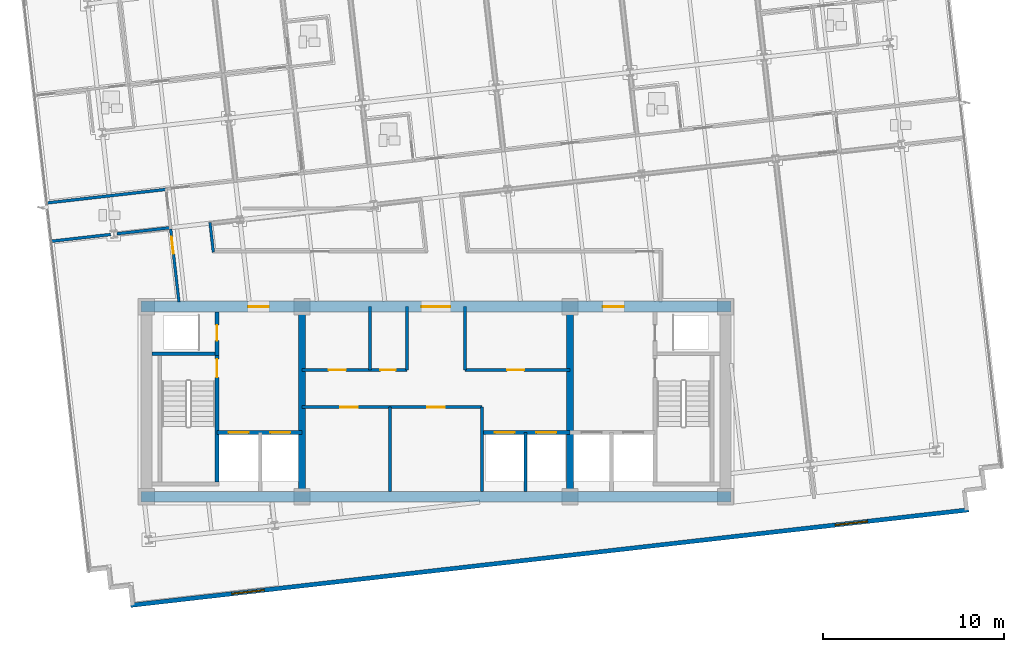
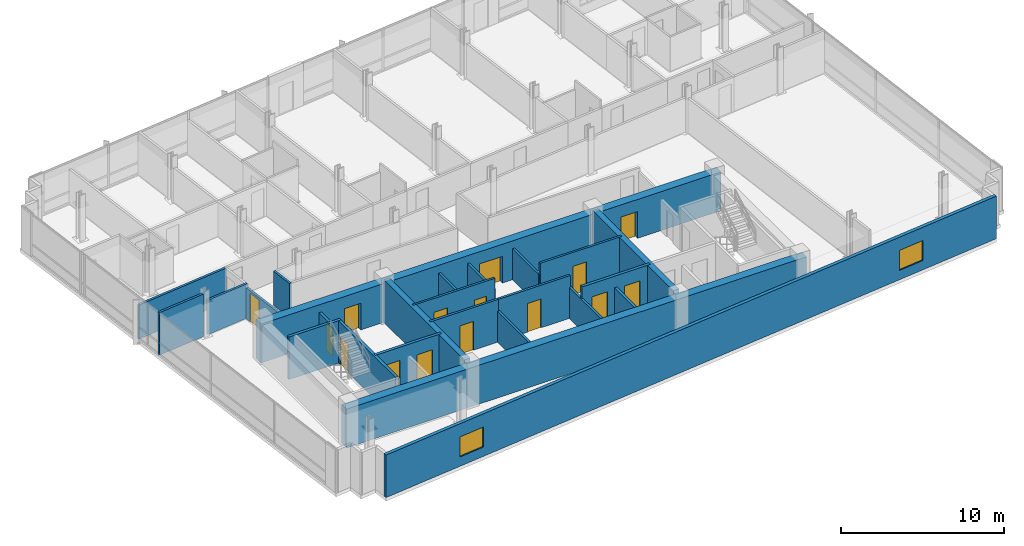
# One storey, part 9 of 16: 25 walls, 15 doors, 2 windows, 17 openings.
"""IFC4 building model written with IfcOpenShell, lengths in metres."""

import ifcopenshell
import ifcopenshell.guid

model = None  # the IFC model being written
_history = None  # IfcOwnerHistory: only IFC2X3 demands one
_inside = {}  # id of a spatial element -> (the spatial element, [elements in it])
_under = {}  # id of a project, library or spatial element -> (it, [spatial elements below it])
_declared = {}  # id of a project -> (the project, [libraries it declares])
_typed = {}  # id of a type object -> (the type object, [elements of that type])
_made_of = {}  # id of a material, layer set ... -> (it, [elements and type objects made of it])


def new_model(schema):
    """Start an empty IFC model of exactly this schema.

    Asked for "IFC4X3", IfcOpenShell would pick the latest addendum, in which some entities
    have other attributes; the version numbers below select the first issue.
    IFC2X3 requires an IfcOwnerHistory on every rooted entity: one is made here for all.
    """
    global model, _history
    if schema == "IFC4X3":
        model = ifcopenshell.file(schema_version=(4, 3, 0, 0))
    else:
        model = ifcopenshell.file(schema=schema)
    _inside.clear()
    _under.clear()
    _declared.clear()
    _typed.clear()
    _made_of.clear()
    _history = None
    if model.schema == "IFC2X3":
        org = make("IfcOrganization", Name="unknown")
        user = make(
            "IfcPersonAndOrganization",
            ThePerson=make("IfcPerson", FamilyName="unknown"),
            TheOrganization=org,
        )
        app = make(
            "IfcApplication",
            ApplicationDeveloper=org,
            Version="unknown",
            ApplicationFullName="unknown",
            ApplicationIdentifier="unknown",
        )
        _history = make(
            "IfcOwnerHistory",
            OwningUser=user,
            OwningApplication=app,
            ChangeAction="ADDED",
            CreationDate=0,
        )
    return model


def make(cls, **values):
    """One entity of the class cls with the attributes given. An attribute that is None is left unset."""
    return model.create_entity(
        cls, **{name: value for name, value in values.items() if value is not None}
    )


def rooted(cls, **values):
    """An entity with a GlobalId (a new one), such as an element, a storey or a relation."""
    return make(cls, GlobalId=ifcopenshell.guid.new(), OwnerHistory=_history, **values)


def si_unit(unit_type, name, prefix=None):
    """IfcSIUnit, for example si_unit("LENGTHUNIT", "METRE", prefix="MILLI")."""
    return make("IfcSIUnit", UnitType=unit_type, Prefix=prefix, Name=name)


def assignment(units):
    """IfcUnitAssignment: the units of a project."""
    return None if units is None else make("IfcUnitAssignment", Units=units)


def point(xyz):
    """IfcCartesianPoint."""
    return None if xyz is None else make("IfcCartesianPoint", Coordinates=xyz)


def direction(xyz):
    """IfcDirection."""
    return None if xyz is None else make("IfcDirection", DirectionRatios=xyz)


def frame(location, z_axis=None, x_axis=None):
    """IfcAxis2Placement3D, a coordinate frame: its origin and axes. An axis left out is left unset."""
    return make(
        "IfcAxis2Placement3D",
        Location=point(location),
        Axis=direction(z_axis),
        RefDirection=direction(x_axis),
    )


def frame_2d(location, x_axis=None):
    """IfcAxis2Placement2D, a coordinate frame in the plane: its origin and x axis."""
    return make(
        "IfcAxis2Placement2D", Location=point(location), RefDirection=direction(x_axis)
    )


def origin():
    """The frame at (0, 0, 0) with its axes left unset."""
    return frame((0.0, 0.0, 0.0))


def place(relative_to, where):
    """IfcLocalPlacement: puts the frame where relative to a parent placement (None: the world)."""
    return make(
        "IfcLocalPlacement", PlacementRelTo=relative_to, RelativePlacement=where
    )


def context(
    kind, dimensions, precision=None, world=None, true_north=None, identifier=None
):
    """IfcGeometricRepresentationContext, for example the 3D "Model" context."""
    return make(
        "IfcGeometricRepresentationContext",
        ContextIdentifier=identifier,
        ContextType=kind,
        CoordinateSpaceDimension=dimensions,
        Precision=precision,
        WorldCoordinateSystem=world,
        TrueNorth=true_north,
    )


def subcontext(parent, identifier, kind, view, scale=None):
    """IfcGeometricRepresentationSubContext, for example "Body" below "Model"."""
    return make(
        "IfcGeometricRepresentationSubContext",
        ContextIdentifier=identifier,
        ContextType=kind,
        ParentContext=parent,
        TargetScale=scale,
        TargetView=view,
    )


def project(units=None, contexts=None):
    """IfcProject with its units and contexts."""
    return rooted(
        "IfcProject",
        Name="project",
        RepresentationContexts=contexts,
        UnitsInContext=assignment(units),
    )


def spatial(cls, under=None, at=None, **own):
    """A site, building, storey or space (cls), placed at a placement, below another one or the project."""
    s = rooted(cls, ObjectPlacement=at, **own)
    if under is not None:
        _under.setdefault(under.id(), (under, []))[1].append(s)
    return s


def profile(cls, at=None, kind="AREA", **sizes):
    """A parametric profile (cls). Its sizes go by their IFC names, for example OverallWidth=200.0."""
    return make(cls, ProfileType=kind, Position=at, **sizes)


def rectangle(**sizes):
    """IfcRectangleProfileDef."""
    return profile("IfcRectangleProfileDef", **sizes)


def extrude(swept, where, along, depth):
    """IfcExtrudedAreaSolid: the profile swept, set in the frame where, extruded along a direction by depth."""
    return make(
        "IfcExtrudedAreaSolid",
        SweptArea=swept,
        Position=where,
        ExtrudedDirection=direction(along),
        Depth=depth,
    )


def shape(context_of_items, identifier, shape_type, items):
    """IfcShapeRepresentation: the items that make up one representation, for example the "Body"."""
    return make(
        "IfcShapeRepresentation",
        ContextOfItems=context_of_items,
        RepresentationIdentifier=identifier,
        RepresentationType=shape_type,
        Items=items,
    )


def material(Name=None, Category=None):
    """IfcMaterial."""
    return make("IfcMaterial", Name=Name, Category=Category)


def layer(
    of_material, thickness, ventilated=None, Name=None, Category=None, Priority=None
):
    """IfcMaterialLayer: one layer of a wall or slab, of a material (None: an air gap)."""
    return make(
        "IfcMaterialLayer",
        Material=of_material,
        LayerThickness=thickness,
        IsVentilated=ventilated,
        Name=Name,
        Category=Category,
        Priority=Priority,
    )


def layer_set(layers, Name=None):
    """IfcMaterialLayerSet."""
    return make("IfcMaterialLayerSet", MaterialLayers=layers, LayerSetName=Name)


def made_of(thing, what):
    """Note that an element or type object is made of a material, layer set ...; save() writes the relation."""
    if what is not None:
        _made_of.setdefault(what.id(), (what, []))[1].append(thing)
    return thing


def type_object(cls, material=None, **own):
    """A type object (cls), such as IfcWallType, which elements share."""
    return made_of(rooted(cls, **own), material)


def element(
    cls,
    number,
    at=None,
    inside=None,
    cuts=None,
    type_object=None,
    material=None,
    context=None,
    identifier="Body",
    shape_type=None,
    held_by="IfcProductDefinitionShape",
    body=None,
    shapes=None,
    **own,
):
    """One element of the class cls, such as IfcWall. Its Tag is "e" and its number.

    at: its placement. inside: the storey or other place that contains it. cuts: it is an
    opening in that element (IfcRelVoidsElement). A single representation is given by context,
    identifier, shape_type and body (its items); several are given by shapes. held_by: the class
    of the entity that holds the representations. save() writes the other relations.
    """
    e = rooted(cls, Tag="e%d" % number, ObjectPlacement=at, **own)
    if body is not None:
        shapes = [shape(context, identifier, shape_type, body)]
    if shapes is not None:
        e.Representation = make(held_by, Representations=shapes)
    if inside is not None:
        _inside.setdefault(inside.id(), (inside, []))[1].append(e)
    if cuts is not None:
        rooted(
            "IfcRelVoidsElement", RelatingBuildingElement=cuts, RelatedOpeningElement=e
        )
    if type_object is not None:
        _typed.setdefault(type_object.id(), (type_object, []))[1].append(e)
    return made_of(e, material)


def fill(opening, filler):
    """IfcRelFillsElement: the door or window that sits in an opening."""
    return rooted(
        "IfcRelFillsElement",
        RelatingOpeningElement=opening,
        RelatedBuildingElement=filler,
    )


def aggregate(whole, parts):
    """IfcRelAggregates: a whole, such as a stair, and the parts it consists of."""
    return rooted("IfcRelAggregates", RelatingObject=whole, RelatedObjects=parts)


def save(model, path):
    """Write the relations noted so far, then the file.

    IfcRelAggregates (storeys below a building ...), IfcRelContainedInSpatialStructure (elements
    in a storey), IfcRelDefinesByType, IfcRelAssociatesMaterial and IfcRelDeclares: one each for
    every whole, place, type object, material and project.
    """
    for whole, parts in _under.values():
        aggregate(whole, parts)
    for where, things in _inside.values():
        rooted(
            "IfcRelContainedInSpatialStructure",
            RelatedElements=things,
            RelatingStructure=where,
        )
    for kind, things in _typed.values():
        rooted("IfcRelDefinesByType", RelatedObjects=things, RelatingType=kind)
    for what, things in _made_of.values():
        rooted("IfcRelAssociatesMaterial", RelatedObjects=things, RelatingMaterial=what)
    for by, libraries in _declared.values():
        rooted("IfcRelDeclares", RelatingContext=by, RelatedDefinitions=libraries)
    model.write(path)


model = new_model("IFC4")

# Units and contexts
model_context = context("Model", 3, precision=1e-05, world=origin(), true_north=direction((0.0, 1.0)))
body_context = subcontext(model_context, "Body", "Model", "MODEL_VIEW")
ifc_project = project(units=[si_unit("LENGTHUNIT", "METRE"), si_unit("AREAUNIT", "SQUARE_METRE"), si_unit("VOLUMEUNIT", "CUBIC_METRE"), si_unit("PLANEANGLEUNIT", "RADIAN"), si_unit("MASSUNIT", "GRAM", prefix="KILO")], contexts=[model_context])

# Site, building, storey
site_placement = place(None, origin())
site = spatial("IfcSite", under=ifc_project, at=site_placement, CompositionType="ELEMENT")
building_placement = place(site_placement, origin())
building = spatial("IfcBuilding", under=site, at=building_placement, Name="Solmavex Isthmus Hotel", CompositionType="ELEMENT")
storey_placement = place(building_placement, frame((0.0, 0.0, 222.75)))
storey = spatial("IfcBuildingStorey", under=building, at=storey_placement, Name="L60", CompositionType="ELEMENT", Elevation=222.75)

# Wall, openings, windows
ifc_material_1 = material(Name="Precast Concrete C40/50", Category="concrete")
ifc_layer_1 = layer(ifc_material_1, 0.25)
ifc_layer_set_1 = layer_set([ifc_layer_1], Name="Precast Concrete C40/50")
wall_type_1 = type_object("IfcWallType", Name="EW-TWR-250", PredefinedType="STANDARD", material=ifc_layer_set_1)
wall_1_placement = place(storey_placement, frame((-16.86962890625, -18.99951171875, 0.0), z_axis=(0.0, 0.0, 1.0), x_axis=(0.993571588328, 0.113205560228, 0.0)))
wall_1 = element("IfcWall", 1, at=wall_1_placement, inside=storey, type_object=wall_type_1, Name="Tower Rear South Facade Wall L60", PredefinedType="STANDARD", context=body_context, shape_type="SweptSolid", body=[
    extrude(rectangle(XDim=46.60009765625, YDim=0.239990234375, at=frame_2d((23.300048828125, 0.0))), origin(), (0.0, 0.0, 1.0), 3.18994140625),
])
opening_1_placement = place(wall_1_placement, frame((5.6240234375, 0.0, 0.699951171875)))
opening_1 = element("IfcOpeningElement", 2, at=opening_1_placement, cuts=wall_1, Name="Opening WN-02", PredefinedType="OPENING", context=body_context, shape_type="SweptSolid", body=[
    extrude(rectangle(XDim=1.800048828125, YDim=1.5, at=frame_2d((0.89990234375, 0.75))), frame((0.0, 0.1298828125, 0.0), z_axis=(0.0, -1.0, 0.0), x_axis=(1.0, 0.0, 0.0)), (0.0, 0.0, 1.0), 0.260009765625),
])
opening_2_placement = place(wall_1_placement, frame((39.176025390625, 0.0, 0.699951171875)))
opening_2 = element("IfcOpeningElement", 3, at=opening_2_placement, cuts=wall_1, Name="Opening WN-02", PredefinedType="OPENING", context=body_context, shape_type="SweptSolid", body=[
    extrude(rectangle(XDim=1.800048828125, YDim=1.5, at=frame_2d((0.89990234375, 0.75))), frame((0.0, 0.1298828125, 0.0), z_axis=(0.0, -1.0, 0.0), x_axis=(1.0, 0.0, 0.0)), (0.0, 0.0, 1.0), 0.260009765625),
])
ifc_material_2 = material(Name="Clear low-E laminated glass", Category="glass")
window_type = type_object("IfcWindowType", Name="WIN-TWR-1800", PartitioningType="SINGLE_PANEL", PredefinedType="WINDOW", material=ifc_material_2)
window_1_placement = place(opening_1_placement, origin())
window_1 = element("IfcWindow", 4, at=window_1_placement, inside=storey, type_object=window_type, Name="South Facade Vision Window L60-S1", OverallHeight=1.5, OverallWidth=1.800048828125, PartitioningType="SINGLE_PANEL", PredefinedType="WINDOW", context=body_context, shape_type="SweptSolid", body=[
    extrude(rectangle(XDim=1.800048828125, YDim=1.5, at=frame_2d((0.89990234375, 0.75))), frame((0.0, 0.030029296875, 0.0), z_axis=(0.0, -1.0, 0.0), x_axis=(1.0, 0.0, 0.0)), (0.0, 0.0, 1.0), 0.06005859375),
])
fill(opening_1, window_1)
window_2_placement = place(opening_2_placement, origin())
window_2 = element("IfcWindow", 5, at=window_2_placement, inside=storey, type_object=window_type, Name="South Facade Vision Window L60-S2", OverallHeight=1.5, OverallWidth=1.800048828125, PartitioningType="SINGLE_PANEL", PredefinedType="WINDOW", context=body_context, shape_type="SweptSolid", body=[
    extrude(rectangle(XDim=1.800048828125, YDim=1.5, at=frame_2d((0.89990234375, 0.75))), frame((0.0, 0.030029296875, 0.0), z_axis=(0.0, -1.0, 0.0), x_axis=(1.0, 0.0, 0.0)), (0.0, 0.0, 1.0), 0.06005859375),
])
fill(opening_2, window_2)

# Wall, opening, door
ifc_material_3 = material(Name="Gypsum plasterboard lining", Category="gypsum")
ifc_layer_2 = layer(ifc_material_3, 0.159912109375)
ifc_layer_set_2 = layer_set([ifc_layer_2], Name="Gypsum plasterboard lining")
wall_type_2 = type_object("IfcWallType", Name="IW-COMP-160", PredefinedType="PARTITIONING", material=ifc_layer_set_2)
wall_2_placement = place(storey_placement, frame((-7.39990234375, -8.050048828125, 0.0), z_axis=(0.0, 0.0, 1.0), x_axis=(1.0, 0.0, 0.0)))
wall_2 = element("IfcWall", 6, at=wall_2_placement, inside=storey, type_object=wall_type_2, Name="Interior Partition Wall W-L60-REC-PLL-N", PredefinedType="PARTITIONING", context=body_context, shape_type="SweptSolid", body=[
    extrude(rectangle(XDim=4.849853515625, YDim=0.159912109375, at=frame_2d((2.4248046875, 0.0))), origin(), (0.0, 0.0, 1.0), 3.18994140625),
])
opening_3_placement = place(wall_2_placement, frame((2.125, 0.0, 0.0)))
opening_3 = element("IfcOpeningElement", 7, at=opening_3_placement, cuts=wall_2, Name="Opening ID-C095", PredefinedType="OPENING", context=body_context, shape_type="SweptSolid", body=[
    extrude(rectangle(XDim=0.949951171875, YDim=2.14990234375, at=frame_2d((0.47509765625, 1.074951171875))), frame((0.0, 0.08984375, 0.0), z_axis=(0.0, -1.0, 0.0), x_axis=(1.0, 0.0, 0.0)), (0.0, 0.0, 1.0), 0.179931640625),
])
ifc_material_4 = material(Name="Hardwood timber", Category="wood")
door_type_1 = type_object("IfcDoorType", Name="IDR-FD60-0950", OperationType="NOTDEFINED", PredefinedType="DOOR", material=ifc_material_4)
door_1_placement = place(opening_3_placement, origin())
door_1 = element("IfcDoor", 8, at=door_1_placement, inside=storey, type_object=door_type_1, Name="Linen Reserve Door L60", OperationType="SINGLE_SWING_LEFT", OverallHeight=2.14990234375, OverallWidth=0.949951171875, PredefinedType="DOOR", context=body_context, shape_type="SweptSolid", body=[
    extrude(rectangle(XDim=0.949951171875, YDim=2.14990234375, at=frame_2d((0.47509765625, 1.074951171875))), frame((0.0, 0.02490234375, 0.0), z_axis=(0.0, -1.0, 0.0), x_axis=(1.0, 0.0, 0.0)), (0.0, 0.0, 1.0), 0.050048828125),
])
fill(opening_3, door_1)

# Wall
wall_3_placement = place(storey_placement, frame((-2.550048828125, -12.699951171875, 0.0), z_axis=(0.0, 0.0, 1.0), x_axis=(0.0, 1.0, 0.0)))
element("IfcWall", 9, at=wall_3_placement, inside=storey, type_object=wall_type_2, Name="Interior Partition Wall W-L60-REC-PLL-E", PredefinedType="PARTITIONING", context=body_context, shape_type="SweptSolid", body=[
    extrude(rectangle(XDim=4.64990234375, YDim=0.159912109375, at=frame_2d((2.324951171875, 0.0))), origin(), (0.0, 0.0, 1.0), 2.324951171875),
])

# Wall, opening, door
wall_4_placement = place(storey_placement, frame((-2.550048828125, -8.050048828125, 0.0), z_axis=(0.0, 0.0, 1.0), x_axis=(1.0, 0.0, 0.0)))
wall_4 = element("IfcWall", 10, at=wall_4_placement, inside=storey, type_object=wall_type_2, Name="Interior Partition Wall W-L60-REC-PLM-N", PredefinedType="PARTITIONING", context=body_context, shape_type="SweptSolid", body=[
    extrude(rectangle(XDim=5.10009765625, YDim=0.159912109375, at=frame_2d((2.550048828125, 0.0))), origin(), (0.0, 0.0, 1.0), 3.18994140625),
])
opening_4_placement = place(wall_4_placement, frame((2.074951171875, 0.0, 0.0)))
opening_4 = element("IfcOpeningElement", 11, at=opening_4_placement, cuts=wall_4, Name="Opening ID-C095", PredefinedType="OPENING", context=body_context, shape_type="SweptSolid", body=[
    extrude(rectangle(XDim=0.949951171875, YDim=2.14990234375, at=frame_2d((0.47509765625, 1.074951171875))), frame((0.0, 0.08984375, 0.0), z_axis=(0.0, -1.0, 0.0), x_axis=(1.0, 0.0, 0.0)), (0.0, 0.0, 1.0), 0.179931640625),
])
door_2_placement = place(opening_4_placement, origin())
door_2 = element("IfcDoor", 12, at=door_2_placement, inside=storey, type_object=door_type_1, Name="Butler Store Door L60", OperationType="SINGLE_SWING_RIGHT", OverallHeight=2.14990234375, OverallWidth=0.949951171875, PredefinedType="DOOR", context=body_context, shape_type="SweptSolid", body=[
    extrude(rectangle(XDim=0.949951171875, YDim=2.14990234375, at=frame_2d((0.47509765625, 1.074951171875))), frame((0.0, 0.02490234375, 0.0), z_axis=(0.0, -1.0, 0.0), x_axis=(1.0, 0.0, 0.0)), (0.0, 0.0, 1.0), 0.050048828125),
])
fill(opening_4, door_2)

# Walls
wall_5_placement = place(storey_placement, frame((2.550048828125, -12.699951171875, 0.0), z_axis=(0.0, 0.0, 1.0), x_axis=(0.0, 1.0, 0.0)))
element("IfcWall", 13, at=wall_5_placement, inside=storey, type_object=wall_type_2, Name="Interior Partition Wall W-L60-REC-PLM-E", PredefinedType="PARTITIONING", context=body_context, shape_type="SweptSolid", body=[
    extrude(rectangle(XDim=4.64990234375, YDim=0.159912109375, at=frame_2d((2.324951171875, 0.0))), origin(), (0.0, 0.0, 1.0), 2.324951171875),
])
wall_6_placement = place(storey_placement, frame((-14.86865234375, 3.98486328125, 0.0), z_axis=(0.0, 0.0, 1.0), x_axis=(-0.993568743641, -0.113230524415, 0.0)))
element("IfcWall", 14, at=wall_6_placement, inside=storey, type_object=wall_type_2, Name="Interior Partition Wall W-L60-P033", PredefinedType="PARTITIONING", context=body_context, shape_type="SweptSolid", body=[
    extrude(rectangle(XDim=6.7099609375, YDim=0.159912109375, at=frame_2d((3.35498046875, 0.0))), origin(), (0.0, 0.0, 1.0), 2.5576171875),
])
wall_7_placement = place(storey_placement, frame((-17.97216796875, 1.4873046875, 0.0), z_axis=(0.0, 0.0, 1.0), x_axis=(-0.993575433752, -0.113171804991, 0.0)))
element("IfcWall", 15, at=wall_7_placement, inside=storey, type_object=wall_type_2, Name="Interior Partition Wall W-L60-P070", PredefinedType="PARTITIONING", context=body_context, shape_type="SweptSolid", body=[
    extrude(rectangle(XDim=3.34375, YDim=0.159912109375, at=frame_2d((1.671875, 0.0))), origin(), (0.0, 0.0, 1.0), 3.18994140625),
])
wall_8_placement = place(storey_placement, frame((-14.62744140625, 1.868408203125, 0.0), z_axis=(0.0, 0.0, 1.0), x_axis=(-0.993574646464, -0.113178716659, 0.0)))
element("IfcWall", 16, at=wall_8_placement, inside=storey, type_object=wall_type_2, Name="Interior Partition Wall W-L60-P071", PredefinedType="PARTITIONING", context=body_context, shape_type="SweptSolid", body=[
    extrude(rectangle(XDim=3.013427734375, YDim=0.159912109375, at=frame_2d((1.5068359375, 0.0))), origin(), (0.0, 0.0, 1.0), 2.572265625),
])

# Wall, openings, doors
ifc_layer_3 = layer(ifc_material_3, 0.14990234375)
ifc_layer_set_3 = layer_set([ifc_layer_3], Name="Gypsum plasterboard lining")
wall_type_3 = type_object("IfcWallType", Name="IW-CORR-150", PredefinedType="PARTITIONING", material=ifc_layer_set_3)
wall_9_placement = place(storey_placement, frame((-7.39990234375, -6.0, 0.0), z_axis=(0.0, 0.0, 1.0), x_axis=(1.0, 0.0, 0.0)))
wall_9 = element("IfcWall", 17, at=wall_9_placement, inside=storey, type_object=wall_type_3, Name="Interior Partition Wall W-L60-BOH-WS", PredefinedType="PARTITIONING", context=body_context, shape_type="SweptSolid", body=[
    extrude(rectangle(XDim=5.7998046875, YDim=0.14990234375, at=frame_2d((2.89990234375, 0.0))), origin(), (0.0, 0.0, 1.0), 3.18994140625),
])
opening_5_placement = place(wall_9_placement, frame((1.47509765625, 0.0, 0.0)))
opening_5 = element("IfcOpeningElement", 18, at=opening_5_placement, cuts=wall_9, Name="Opening ID-C095", PredefinedType="OPENING", context=body_context, shape_type="SweptSolid", body=[
    extrude(rectangle(XDim=0.949951171875, YDim=2.14990234375, at=frame_2d((0.47509765625, 1.074951171875))), frame((0.0, 0.0849609375, 0.0), z_axis=(0.0, -1.0, 0.0), x_axis=(1.0, 0.0, 0.0)), (0.0, 0.0, 1.0), 0.169921875),
])
opening_6_placement = place(wall_9_placement, frame((4.324951171875, 0.0, 0.0)))
opening_6 = element("IfcOpeningElement", 19, at=opening_6_placement, cuts=wall_9, Name="Opening ID-R085", PredefinedType="OPENING", context=body_context, shape_type="SweptSolid", body=[
    extrude(rectangle(XDim=0.85009765625, YDim=2.050048828125, at=frame_2d((0.425048828125, 1.02490234375))), frame((0.0, 0.0849609375, 0.0), z_axis=(0.0, -1.0, 0.0), x_axis=(1.0, 0.0, 0.0)), (0.0, 0.0, 1.0), 0.169921875),
])
ifc_material_5 = material(Name="Steel ASTM A500 Grade C", Category="steel")
door_type_2 = type_object("IfcDoorType", Name="IDR-FD60-0850", OperationType="NOTDEFINED", PredefinedType="DOOR", material=ifc_material_5)
door_3_placement = place(opening_6_placement, frame((0.85009765625, 0.0, 0.0), z_axis=(0.0, 0.0, 1.0), x_axis=(-1.0, 0.0, 0.0)))
door_3 = element("IfcDoor", 20, at=door_3_placement, inside=storey, type_object=door_type_2, Name="Cleaner Closet Door L60", OperationType="SINGLE_SWING_RIGHT", OverallHeight=2.050048828125, OverallWidth=0.85009765625, PredefinedType="DOOR", context=body_context, shape_type="SweptSolid", body=[
    extrude(rectangle(XDim=0.85009765625, YDim=2.050048828125, at=frame_2d((0.425048828125, 1.02490234375))), frame((0.0, 0.02490234375, 0.0), z_axis=(0.0, -1.0, 0.0), x_axis=(1.0, 0.0, 0.0)), (0.0, 0.0, 1.0), 0.050048828125),
])
fill(opening_6, door_3)
door_4_placement = place(opening_5_placement, frame((0.949951171875, 0.0, 0.0), z_axis=(0.0, 0.0, 1.0), x_axis=(-1.0, 0.0, 0.0)))
door_4 = element("IfcDoor", 21, at=door_4_placement, inside=storey, type_object=door_type_1, Name="Housekeeping Store Door L60", OperationType="SINGLE_SWING_LEFT", OverallHeight=2.14990234375, OverallWidth=0.949951171875, PredefinedType="DOOR", context=body_context, shape_type="SweptSolid", body=[
    extrude(rectangle(XDim=0.949951171875, YDim=2.14990234375, at=frame_2d((0.47509765625, 1.074951171875))), frame((0.0, 0.02490234375, 0.0), z_axis=(0.0, -1.0, 0.0), x_axis=(1.0, 0.0, 0.0)), (0.0, 0.0, 1.0), 0.050048828125),
])
fill(opening_5, door_4)

# Wall
wall_10_placement = place(storey_placement, frame((-1.60009765625, -6.0, 0.0), z_axis=(0.0, 0.0, 1.0), x_axis=(0.0, 1.0, 0.0)))
element("IfcWall", 22, at=wall_10_placement, inside=storey, type_object=wall_type_3, Name="Interior Partition Wall W-L60-BOH-WE", PredefinedType="PARTITIONING", context=body_context, shape_type="SweptSolid", body=[
    extrude(rectangle(XDim=3.5, YDim=0.14990234375, at=frame_2d((1.75, 0.0))), origin(), (0.0, 0.0, 1.0), 2.324951171875),
])

# Wall, opening, door
wall_11_placement = place(storey_placement, frame((1.60009765625, -6.0, 0.0), z_axis=(0.0, 0.0, 1.0), x_axis=(1.0, 0.0, 0.0)))
wall_11 = element("IfcWall", 23, at=wall_11_placement, inside=storey, type_object=wall_type_3, Name="Interior Partition Wall W-L60-BOH-ES", PredefinedType="PARTITIONING", context=body_context, shape_type="SweptSolid", body=[
    extrude(rectangle(XDim=5.7998046875, YDim=0.14990234375, at=frame_2d((2.89990234375, 0.0))), origin(), (0.0, 0.0, 1.0), 3.18994140625),
])
opening_7_placement = place(wall_11_placement, frame((2.324951171875, 0.0, 0.0)))
opening_7 = element("IfcOpeningElement", 24, at=opening_7_placement, cuts=wall_11, Name="Opening ID-C095", PredefinedType="OPENING", context=body_context, shape_type="SweptSolid", body=[
    extrude(rectangle(XDim=0.949951171875, YDim=2.14990234375, at=frame_2d((0.47509765625, 1.074951171875))), frame((0.0, 0.0849609375, 0.0), z_axis=(0.0, -1.0, 0.0), x_axis=(1.0, 0.0, 0.0)), (0.0, 0.0, 1.0), 0.169921875),
])
door_5_placement = place(opening_7_placement, frame((0.949951171875, 0.0, 0.0), z_axis=(0.0, 0.0, 1.0), x_axis=(-1.0, 0.0, 0.0)))
door_5 = element("IfcDoor", 25, at=door_5_placement, inside=storey, type_object=door_type_1, Name="Butler Pantry Door L60", OperationType="SINGLE_SWING_RIGHT", OverallHeight=2.14990234375, OverallWidth=0.949951171875, PredefinedType="DOOR", context=body_context, shape_type="SweptSolid", body=[
    extrude(rectangle(XDim=0.949951171875, YDim=2.14990234375, at=frame_2d((0.47509765625, 1.074951171875))), frame((0.0, 0.02490234375, 0.0), z_axis=(0.0, -1.0, 0.0), x_axis=(1.0, 0.0, 0.0)), (0.0, 0.0, 1.0), 0.050048828125),
])
fill(opening_7, door_5)

# Walls
wall_12_placement = place(storey_placement, frame((1.60009765625, -6.0, 0.0), z_axis=(0.0, 0.0, 1.0), x_axis=(0.0, 1.0, 0.0)))
element("IfcWall", 26, at=wall_12_placement, inside=storey, type_object=wall_type_3, Name="Interior Partition Wall W-L60-BOH-EW", PredefinedType="PARTITIONING", context=body_context, shape_type="SweptSolid", body=[
    extrude(rectangle(XDim=3.5, YDim=0.14990234375, at=frame_2d((1.75, 0.0))), origin(), (0.0, 0.0, 1.0), 2.324951171875),
])
wall_13_placement = place(storey_placement, frame((-12.48583984375, 2.15283203125, 0.0), z_axis=(0.0, 0.0, 1.0), x_axis=(0.113121752139, -0.993581133674, 0.0)))
element("IfcWall", 27, at=wall_13_placement, inside=storey, type_object=wall_type_3, Name="Interior Partition Wall W-L60-P013", PredefinedType="PARTITIONING", context=body_context, shape_type="SweptSolid", body=[
    extrude(rectangle(XDim=1.653076171875, YDim=0.14990234375, at=frame_2d((0.82666015625, 0.0))), origin(), (0.0, 0.0, 1.0), 2.572265625),
])

# Wall, opening, door
wall_14_placement = place(storey_placement, frame((-14.19970703125, -2.23974609375, 0.0), z_axis=(0.0, 0.0, 1.0), x_axis=(-0.11319839611, 0.993572404568, 0.0)))
wall_14 = element("IfcWall", 28, at=wall_14_placement, inside=storey, type_object=wall_type_3, Name="Interior Partition Wall W-L60-P018", PredefinedType="PARTITIONING", context=body_context, shape_type="SweptSolid", body=[
    extrude(rectangle(XDim=4.212158203125, YDim=0.14990234375, at=frame_2d((2.10595703125, 0.0))), origin(), (0.0, 0.0, 1.0), 2.324951171875),
])
opening_8_placement = place(wall_14_placement, frame((2.67236328125, 0.0, 0.0)))
opening_8 = element("IfcOpeningElement", 29, at=opening_8_placement, cuts=wall_14, Name="Opening ID-C095", PredefinedType="OPENING", context=body_context, shape_type="SweptSolid", body=[
    extrude(rectangle(XDim=0.949951171875, YDim=2.14990234375, at=frame_2d((0.47509765625, 1.074951171875))), frame((0.0, 0.0849609375, 0.0), z_axis=(0.0, -1.0, 0.0), x_axis=(1.0, 0.0, 0.0)), (0.0, 0.0, 1.0), 0.169921875),
])
door_6_placement = place(opening_8_placement, frame((0.949951171875, 0.0, 0.0), z_axis=(0.0, 0.0, 1.0), x_axis=(-1.0, 0.0, 0.0)))
door_6 = element("IfcDoor", 30, at=door_6_placement, inside=storey, type_object=door_type_1, Name="Executive Hospitality Lounge Door L60-21", OperationType="SINGLE_SWING_LEFT", OverallHeight=2.14990234375, OverallWidth=0.949951171875, PredefinedType="DOOR", context=body_context, shape_type="SweptSolid", body=[
    extrude(rectangle(XDim=0.949951171875, YDim=2.14990234375, at=frame_2d((0.47509765625, 1.074951171875))), frame((0.0, 0.02490234375, 0.0), z_axis=(0.0, -1.0, 0.0), x_axis=(1.0, 0.0, 0.0)), (0.0, 0.0, 1.0), 0.050048828125),
])
fill(opening_8, door_6)

# Walls
ifc_layer_4 = layer(ifc_material_3, 0.1201171875)
ifc_layer_set_4 = layer_set([ifc_layer_4], Name="Gypsum plasterboard lining")
wall_type_4 = type_object("IfcWallType", Name="IW-PART-120", PredefinedType="PARTITIONING", material=ifc_layer_set_4)
wall_15_placement = place(storey_placement, frame((-3.64990234375, -6.0, 0.0), z_axis=(0.0, 0.0, 1.0), x_axis=(0.0, 1.0, 0.0)))
element("IfcWall", 31, at=wall_15_placement, inside=storey, type_object=wall_type_4, Name="Interior Partition Wall W-L60-BOH-WM1", PredefinedType="PARTITIONING", context=body_context, shape_type="SweptSolid", body=[
    extrude(rectangle(XDim=3.5, YDim=0.14990234375, at=frame_2d((1.75, 0.0))), origin(), (0.0, 0.0, 1.0), 2.324951171875),
])
ifc_material_6 = material(Name="Concrete C40/50", Category="concrete")
ifc_layer_5 = layer(ifc_material_6, 0.179931640625)
ifc_layer_set_5 = layer_set([ifc_layer_5], Name="Concrete C40/50")
wall_type_5 = type_object("IfcWallType", Name="IW-SHAFT-180", PredefinedType="PARTITIONING", material=ifc_layer_set_5)
wall_16_placement = place(storey_placement, frame((4.949951171875, -12.699951171875, 0.0), z_axis=(0.0, 0.0, 1.0), x_axis=(0.0, 1.0, 0.0)))
element("IfcWall", 32, at=wall_16_placement, inside=storey, type_object=wall_type_5, Name="Interior Partition Wall W-L60-SH-PLH-M", PredefinedType="PARTITIONING", context=body_context, shape_type="SweptSolid", body=[
    extrude(rectangle(XDim=3.25, YDim=0.179931640625, at=frame_2d((1.625, 0.0))), origin(), (0.0, 0.0, 1.0), 2.324951171875),
])

# Wall, opening, door
ifc_layer_6 = layer(ifc_material_6, 0.199951171875)
ifc_layer_set_6 = layer_set([ifc_layer_6], Name="Concrete C40/50")
wall_type_6 = type_object("IfcWallType", Name="IW-SHAFT-200", PredefinedType="PARTITIONING", material=ifc_layer_set_6)
wall_17_placement = place(storey_placement, frame((-12.10009765625, -5.199951171875, 0.0), z_axis=(0.0, 0.0, 1.0), x_axis=(0.0, 1.0, 0.0)))
wall_17 = element("IfcWall", 33, at=wall_17_placement, inside=storey, type_object=wall_type_6, Name="Interior Partition Wall W-L60-RSW-E", PredefinedType="PARTITIONING", context=body_context, shape_type="SweptSolid", body=[
    extrude(rectangle(XDim=2.39990234375, YDim=0.199951171875, at=frame_2d((1.199951171875, 0.0))), origin(), (0.0, 0.0, 1.0), 2.324951171875),
])
opening_9_placement = place(wall_17_placement, frame((0.824951171875, 0.0, 0.0)))
opening_9 = element("IfcOpeningElement", 34, at=opening_9_placement, cuts=wall_17, Name="Opening ID-R085", PredefinedType="OPENING", context=body_context, shape_type="SweptSolid", body=[
    extrude(rectangle(XDim=0.85009765625, YDim=2.050048828125, at=frame_2d((0.425048828125, 1.02490234375))), frame((0.0, 0.10986328125, 0.0), z_axis=(0.0, -1.0, 0.0), x_axis=(1.0, 0.0, 0.0)), (0.0, 0.0, 1.0), 0.219970703125),
])
door_7_placement = place(opening_9_placement, origin())
door_7 = element("IfcDoor", 35, at=door_7_placement, inside=storey, type_object=door_type_2, Name="Electrical Riser Door L60", OperationType="SINGLE_SWING_RIGHT", OverallHeight=2.050048828125, OverallWidth=0.85009765625, PredefinedType="DOOR", context=body_context, shape_type="SweptSolid", body=[
    extrude(rectangle(XDim=0.85009765625, YDim=2.050048828125, at=frame_2d((0.425048828125, 1.02490234375))), frame((0.0, 0.02490234375, 0.0), z_axis=(0.0, -1.0, 0.0), x_axis=(1.0, 0.0, 0.0)), (0.0, 0.0, 1.0), 0.050048828125),
])
fill(opening_9, door_7)

# Wall, openings, doors
wall_18_placement = place(storey_placement, frame((-12.10009765625, -9.449951171875, 0.0), z_axis=(0.0, 0.0, 1.0), x_axis=(1.0, 0.0, 0.0)))
wall_18 = element("IfcWall", 36, at=wall_18_placement, inside=storey, type_object=wall_type_6, Name="Interior Partition Wall W-L60-FFLW-S", PredefinedType="PARTITIONING", context=body_context, shape_type="SweptSolid", body=[
    extrude(rectangle(XDim=4.7001953125, YDim=0.199951171875, at=frame_2d((2.35009765625, 0.0))), origin(), (0.0, 0.0, 1.0), 3.18994140625),
])
opening_10_placement = place(wall_18_placement, frame((0.64990234375, 0.0, 0.0)))
opening_10 = element("IfcOpeningElement", 37, at=opening_10_placement, cuts=wall_18, Name="Opening LD-FF", PredefinedType="OPENING", context=body_context, shape_type="SweptSolid", body=[
    extrude(rectangle(XDim=1.10009765625, YDim=2.199951171875, at=frame_2d((0.550048828125, 1.10009765625))), frame((0.0, 0.10986328125, 0.0), z_axis=(0.0, -1.0, 0.0), x_axis=(1.0, 0.0, 0.0)), (0.0, 0.0, 1.0), 0.219970703125),
])
opening_11_placement = place(wall_18_placement, frame((2.949951171875, 0.0, 0.0)))
opening_11 = element("IfcOpeningElement", 38, at=opening_11_placement, cuts=wall_18, Name="Opening LD-SV", PredefinedType="OPENING", context=body_context, shape_type="SweptSolid", body=[
    extrude(rectangle(XDim=1.10009765625, YDim=2.199951171875, at=frame_2d((0.550048828125, 1.10009765625))), frame((0.0, 0.10986328125, 0.0), z_axis=(0.0, -1.0, 0.0), x_axis=(1.0, 0.0, 0.0)), (0.0, 0.0, 1.0), 0.219970703125),
])
ifc_material_7 = material(Name="Stainless steel 316", Category="steel")
door_type_3 = type_object("IfcDoorType", Name="LDR-FF-1100", OperationType="NOTDEFINED", PredefinedType="DOOR", material=ifc_material_7)
door_8_placement = place(opening_10_placement, origin())
door_8 = element("IfcDoor", 39, at=door_8_placement, inside=storey, type_object=door_type_3, Name="Lift Landing Door FFL-1 L60", OperationType="SLIDING_TO_LEFT", OverallHeight=2.199951171875, OverallWidth=1.10009765625, PredefinedType="DOOR", context=body_context, shape_type="SweptSolid", body=[
    extrude(rectangle(XDim=1.10009765625, YDim=2.199951171875, at=frame_2d((0.550048828125, 1.10009765625))), frame((0.0, 0.02490234375, 0.0), z_axis=(0.0, -1.0, 0.0), x_axis=(1.0, 0.0, 0.0)), (0.0, 0.0, 1.0), 0.050048828125),
])
fill(opening_10, door_8)
door_type_4 = type_object("IfcDoorType", Name="LDR-SV-1100", OperationType="NOTDEFINED", PredefinedType="DOOR", material=ifc_material_7)
door_9_placement = place(opening_11_placement, origin())
door_9 = element("IfcDoor", 40, at=door_9_placement, inside=storey, type_object=door_type_4, Name="Lift Landing Door SVL-1 L60", OperationType="SLIDING_TO_RIGHT", OverallHeight=2.199951171875, OverallWidth=1.10009765625, PredefinedType="DOOR", context=body_context, shape_type="SweptSolid", body=[
    extrude(rectangle(XDim=1.10009765625, YDim=2.199951171875, at=frame_2d((0.550048828125, 1.10009765625))), frame((0.0, 0.02490234375, 0.0), z_axis=(0.0, -1.0, 0.0), x_axis=(1.0, 0.0, 0.0)), (0.0, 0.0, 1.0), 0.050048828125),
])
fill(opening_11, door_9)

wall_19_placement = place(storey_placement, frame((2.550048828125, -9.449951171875, 0.0), z_axis=(0.0, 0.0, 1.0), x_axis=(1.0, 0.0, 0.0)))
wall_19 = element("IfcWall", 41, at=wall_19_placement, inside=storey, type_object=wall_type_6, Name="Interior Partition Wall W-L60-SH-PLH", PredefinedType="PARTITIONING", context=body_context, shape_type="SweptSolid", body=[
    extrude(rectangle(XDim=4.849853515625, YDim=0.199951171875, at=frame_2d((2.4248046875, 0.0))), origin(), (0.0, 0.0, 1.0), 3.18994140625),
])
opening_12_placement = place(wall_19_placement, frame((0.699951171875, 0.0, 0.0)))
opening_12 = element("IfcOpeningElement", 42, at=opening_12_placement, cuts=wall_19, Name="Opening LD-PL", PredefinedType="OPENING", context=body_context, shape_type="SweptSolid", body=[
    extrude(rectangle(XDim=1.10009765625, YDim=2.199951171875, at=frame_2d((0.550048828125, 1.10009765625))), frame((0.0, 0.10986328125, 0.0), z_axis=(0.0, -1.0, 0.0), x_axis=(1.0, 0.0, 0.0)), (0.0, 0.0, 1.0), 0.219970703125),
])
opening_13_placement = place(wall_19_placement, frame((3.0, 0.0, 0.0)))
opening_13 = element("IfcOpeningElement", 43, at=opening_13_placement, cuts=wall_19, Name="Opening LD-PL", PredefinedType="OPENING", context=body_context, shape_type="SweptSolid", body=[
    extrude(rectangle(XDim=1.10009765625, YDim=2.199951171875, at=frame_2d((0.550048828125, 1.10009765625))), frame((0.0, 0.10986328125, 0.0), z_axis=(0.0, -1.0, 0.0), x_axis=(1.0, 0.0, 0.0)), (0.0, 0.0, 1.0), 0.219970703125),
])
door_type_5 = type_object("IfcDoorType", Name="LDR-PL-1100", OperationType="NOTDEFINED", PredefinedType="DOOR", material=ifc_material_7)
door_10_placement = place(opening_12_placement, origin())
door_10 = element("IfcDoor", 44, at=door_10_placement, inside=storey, type_object=door_type_5, Name="Lift Landing Door PLH1 L60", OperationType="SLIDING_TO_LEFT", OverallHeight=2.199951171875, OverallWidth=1.10009765625, PredefinedType="DOOR", context=body_context, shape_type="SweptSolid", body=[
    extrude(rectangle(XDim=1.10009765625, YDim=2.199951171875, at=frame_2d((0.550048828125, 1.10009765625))), frame((0.0, 0.02490234375, 0.0), z_axis=(0.0, -1.0, 0.0), x_axis=(1.0, 0.0, 0.0)), (0.0, 0.0, 1.0), 0.050048828125),
])
fill(opening_12, door_10)
door_11_placement = place(opening_13_placement, origin())
door_11 = element("IfcDoor", 45, at=door_11_placement, inside=storey, type_object=door_type_5, Name="Lift Landing Door PLH2 L60", OperationType="SLIDING_TO_LEFT", OverallHeight=2.199951171875, OverallWidth=1.10009765625, PredefinedType="DOOR", context=body_context, shape_type="SweptSolid", body=[
    extrude(rectangle(XDim=1.10009765625, YDim=2.199951171875, at=frame_2d((0.550048828125, 1.10009765625))), frame((0.0, 0.02490234375, 0.0), z_axis=(0.0, -1.0, 0.0), x_axis=(1.0, 0.0, 0.0)), (0.0, 0.0, 1.0), 0.050048828125),
])
fill(opening_13, door_11)

# Walls
ifc_material_8 = material(Name="Concrete C50/60", Category="concrete")
ifc_layer_7 = layer(ifc_material_8, 0.39990234375)
ifc_layer_set_7 = layer_set([ifc_layer_7], Name="Concrete C50/60")
wall_type_7 = type_object("IfcWallType", Name="WALL-CW-400H", PredefinedType="SHEAR", material=ifc_layer_set_7)
for number, where, z_axis, x_axis, name in (
    (46, (-7.39990234375, -12.699951171875, 0.0), (0.0, 0.0, 1.0), (0.0, 1.0, 0.0), "Core Cross Shear Wall C1 L60"),
    (47, (7.39990234375, -12.699951171875, 0.0), (0.0, 0.0, 1.0), (0.0, 1.0, 0.0), "Core Cross Shear Wall C2 L60"),
):
    element("IfcWall", number, at=place(storey_placement, frame(where, z_axis=z_axis, x_axis=x_axis)), inside=storey, type_object=wall_type_7, Name=name, PredefinedType="SHEAR", context=body_context, shape_type="SweptSolid", body=[
        extrude(rectangle(XDim=9.89990234375, YDim=0.39990234375, at=frame_2d((4.949951171875, 0.0))), origin(), (0.0, 0.0, 1.0), 3.18994140625),
    ])
ifc_layer_8 = layer(ifc_material_8, 0.60009765625)
ifc_layer_set_8 = layer_set([ifc_layer_8], Name="Concrete C50/60")
wall_type_8 = type_object("IfcWallType", Name="WALL-CW-600", PredefinedType="SHEAR", material=ifc_layer_set_8)
wall_20_placement = place(storey_placement, frame((-16.300048828125, -13.0, 0.0), z_axis=(0.0, 0.0, 1.0), x_axis=(1.0, 0.0, 0.0)))
element("IfcWall", 48, at=wall_20_placement, inside=storey, type_object=wall_type_8, Name="Core Shear Wall South L60", PredefinedType="SHEAR", context=body_context, shape_type="SweptSolid", body=[
    extrude(rectangle(XDim=32.60009765625, YDim=0.60009765625, at=frame_2d((16.300048828125, 0.0))), origin(), (0.0, 0.0, 1.0), 2.909912109375),
])

# Wall, openings, doors
wall_21_placement = place(storey_placement, frame((-16.300048828125, -2.5, 0.0), z_axis=(0.0, 0.0, 1.0), x_axis=(1.0, 0.0, 0.0)))
wall_21 = element("IfcWall", 49, at=wall_21_placement, inside=storey, type_object=wall_type_8, Name="Core Shear Wall North L60", PredefinedType="SHEAR", context=body_context, shape_type="SweptSolid", body=[
    extrude(rectangle(XDim=32.60009765625, YDim=0.60009765625, at=frame_2d((16.300048828125, 0.0))), origin(), (0.0, 0.0, 1.0), 2.909912109375),
])
opening_14_placement = place(wall_21_placement, frame((5.925048828125, 0.0, 0.0)))
opening_14 = element("IfcOpeningElement", 50, at=opening_14_placement, cuts=wall_21, Name="Opening ID-F915", PredefinedType="OPENING", context=body_context, shape_type="SweptSolid", body=[
    extrude(rectangle(XDim=1.14990234375, YDim=2.0, at=frame_2d((0.574951171875, 1.0))), frame((0.0, 0.31005859375, 0.0), z_axis=(0.0, -1.0, 0.0), x_axis=(1.0, 0.0, 0.0)), (0.0, 0.0, 1.0), 0.6201171875),
])
opening_15_placement = place(wall_21_placement, frame((15.5, 0.0, 0.0)))
opening_15 = element("IfcOpeningElement", 51, at=opening_15_placement, cuts=wall_21, Name="Opening ID-F960", PredefinedType="OPENING", context=body_context, shape_type="SweptSolid", body=[
    extrude(rectangle(XDim=1.60009765625, YDim=2.0, at=frame_2d((0.800048828125, 1.0))), frame((0.0, 0.31005859375, 0.0), z_axis=(0.0, -1.0, 0.0), x_axis=(1.0, 0.0, 0.0)), (0.0, 0.0, 1.0), 0.6201171875),
])
opening_16_placement = place(wall_21_placement, frame((25.52490234375, 0.0, 0.0)))
opening_16 = element("IfcOpeningElement", 52, at=opening_16_placement, cuts=wall_21, Name="Opening ID-F915", PredefinedType="OPENING", context=body_context, shape_type="SweptSolid", body=[
    extrude(rectangle(XDim=1.14990234375, YDim=2.0, at=frame_2d((0.574951171875, 1.0))), frame((0.0, 0.31005859375, 0.0), z_axis=(0.0, -1.0, 0.0), x_axis=(1.0, 0.0, 0.0)), (0.0, 0.0, 1.0), 0.6201171875),
])
door_type_6 = type_object("IfcDoorType", Name="IDR-FD90-1150C", OperationType="NOTDEFINED", PredefinedType="DOOR", material=ifc_material_5)
door_12_placement = place(opening_14_placement, origin())
door_12 = element("IfcDoor", 53, at=door_12_placement, inside=storey, type_object=door_type_6, Name="Firefighting Lobby West Exit Door L60", OperationType="SINGLE_SWING_LEFT", OverallHeight=2.0, OverallWidth=1.14990234375, PredefinedType="DOOR", context=body_context, shape_type="SweptSolid", body=[
    extrude(rectangle(XDim=1.14990234375, YDim=2.0, at=frame_2d((0.574951171875, 1.0))), frame((0.0, 0.02490234375, 0.0), z_axis=(0.0, -1.0, 0.0), x_axis=(1.0, 0.0, 0.0)), (0.0, 0.0, 1.0), 0.050048828125),
])
fill(opening_14, door_12)
door_13_placement = place(opening_16_placement, origin())
door_13 = element("IfcDoor", 54, at=door_13_placement, inside=storey, type_object=door_type_6, Name="Firefighting Lobby East Exit Door L60", OperationType="SINGLE_SWING_RIGHT", OverallHeight=2.0, OverallWidth=1.14990234375, PredefinedType="DOOR", context=body_context, shape_type="SweptSolid", body=[
    extrude(rectangle(XDim=1.14990234375, YDim=2.0, at=frame_2d((0.574951171875, 1.0))), frame((0.0, 0.02490234375, 0.0), z_axis=(0.0, -1.0, 0.0), x_axis=(1.0, 0.0, 0.0)), (0.0, 0.0, 1.0), 0.050048828125),
])
fill(opening_16, door_13)
door_type_7 = type_object("IfcDoorType", Name="IDR-FD90-1600C", OperationType="NOTDEFINED", PredefinedType="DOOR", material=ifc_material_5)
door_14_placement = place(opening_15_placement, origin())
door_14 = element("IfcDoor", 55, at=door_14_placement, inside=storey, type_object=door_type_7, Name="Central Lift Lobby Door L60", OperationType="DOUBLE_DOOR_SINGLE_SWING", OverallHeight=2.0, OverallWidth=1.60009765625, PredefinedType="DOOR", context=body_context, shape_type="SweptSolid", body=[
    extrude(rectangle(XDim=1.60009765625, YDim=2.0, at=frame_2d((0.800048828125, 1.0))), frame((0.0, 0.02490234375, 0.0), z_axis=(0.0, -1.0, 0.0), x_axis=(1.0, 0.0, 0.0)), (0.0, 0.0, 1.0), 0.050048828125),
])
fill(opening_15, door_14)

# Wall
ifc_layer_9 = layer(ifc_material_6, 0.199951171875)
ifc_layer_set_9 = layer_set([ifc_layer_9], Name="Concrete C40/50")
wall_type_9 = type_object("IfcWallType", Name="WALL-SW-200", PredefinedType="SOLIDWALL", material=ifc_layer_set_9)
wall_22_placement = place(storey_placement, frame((-15.699951171875, -5.10009765625, 0.0), z_axis=(0.0, 0.0, 1.0), x_axis=(1.0, 0.0, 0.0)))
element("IfcWall", 56, at=wall_22_placement, inside=storey, type_object=wall_type_9, Name="Stairwell Structural Wall SW-L60-ST1-N", PredefinedType="SOLIDWALL", context=body_context, shape_type="SweptSolid", body=[
    extrude(rectangle(XDim=3.699951171875, YDim=0.199951171875, at=frame_2d((1.85009765625, 0.0))), origin(), (0.0, 0.0, 1.0), 3.18994140625),
])

# Wall, opening, door
wall_23_placement = place(storey_placement, frame((-12.10009765625, -12.199951171875, 0.0), z_axis=(0.0, 0.0, 1.0), x_axis=(0.0, 1.0, 0.0)))
wall_23 = element("IfcWall", 57, at=wall_23_placement, inside=storey, type_object=wall_type_9, Name="Stairwell Structural Wall SW-L60-ST1-E", PredefinedType="SOLIDWALL", context=body_context, shape_type="SweptSolid", body=[
    extrude(rectangle(XDim=7.0, YDim=0.199951171875, at=frame_2d((3.5, 0.0))), origin(), (0.0, 0.0, 1.0), 3.18994140625),
])
opening_17_placement = place(wall_23_placement, frame((5.800048828125, 0.0, 0.0)))
opening_17 = element("IfcOpeningElement", 58, at=opening_17_placement, cuts=wall_23, Name="Opening ID-F100", PredefinedType="OPENING", context=body_context, shape_type="SweptSolid", body=[
    extrude(rectangle(XDim=1.0, YDim=2.10009765625, at=frame_2d((0.5, 1.050048828125))), frame((0.0, 0.10986328125, 0.0), z_axis=(0.0, -1.0, 0.0), x_axis=(1.0, 0.0, 0.0)), (0.0, 0.0, 1.0), 0.219970703125),
])
door_type_8 = type_object("IfcDoorType", Name="IDR-FD90-1000", OperationType="NOTDEFINED", PredefinedType="DOOR", material=ifc_material_5)
door_15_placement = place(opening_17_placement, frame((1.0, 0.0, 0.0), z_axis=(0.0, 0.0, 1.0), x_axis=(-1.0, 0.0, 0.0)))
door_15 = element("IfcDoor", 59, at=door_15_placement, inside=storey, type_object=door_type_8, Name="Stair ST-1 Fire Door L60", OperationType="SINGLE_SWING_LEFT", OverallHeight=2.10009765625, OverallWidth=1.0, PredefinedType="DOOR", context=body_context, shape_type="SweptSolid", body=[
    extrude(rectangle(XDim=1.0, YDim=2.10009765625, at=frame_2d((0.5, 1.050048828125))), frame((0.0, 0.02490234375, 0.0), z_axis=(0.0, -1.0, 0.0), x_axis=(1.0, 0.0, 0.0)), (0.0, 0.0, 1.0), 0.050048828125),
])
fill(opening_17, door_15)

save(model, "model.ifc")
